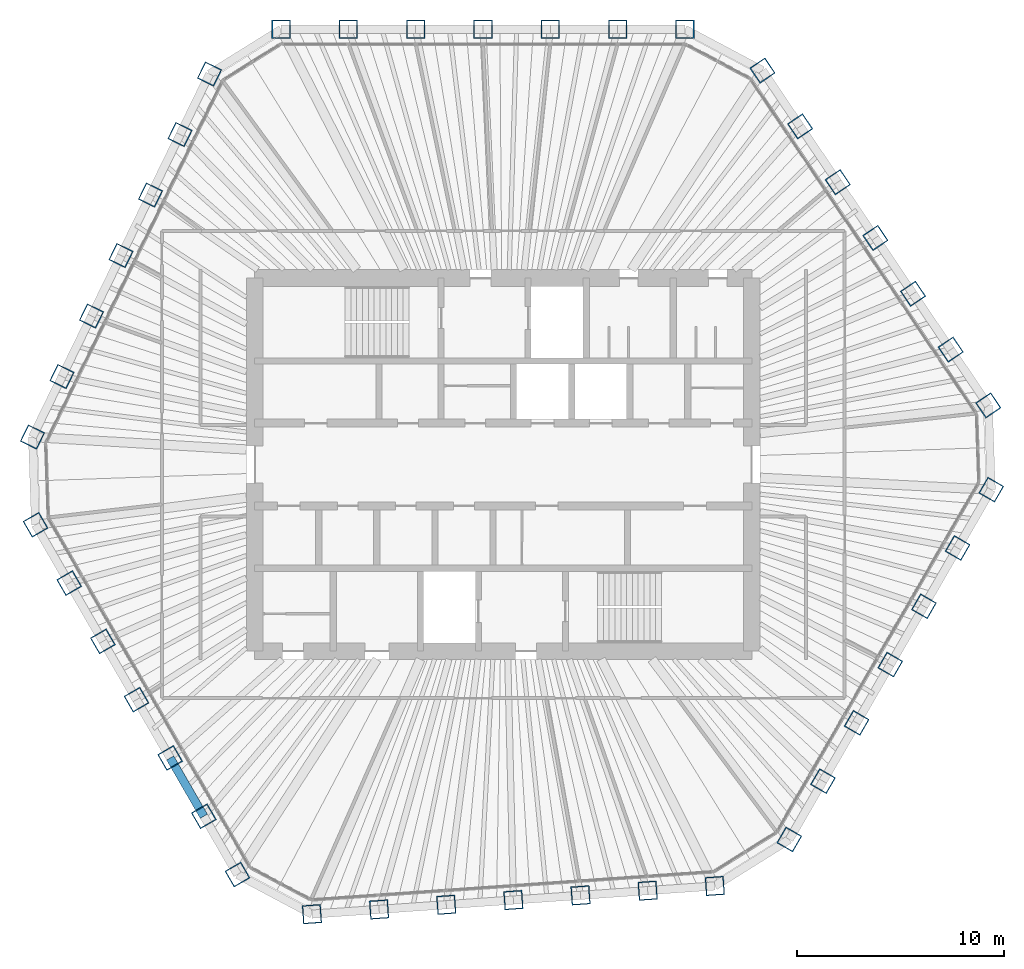
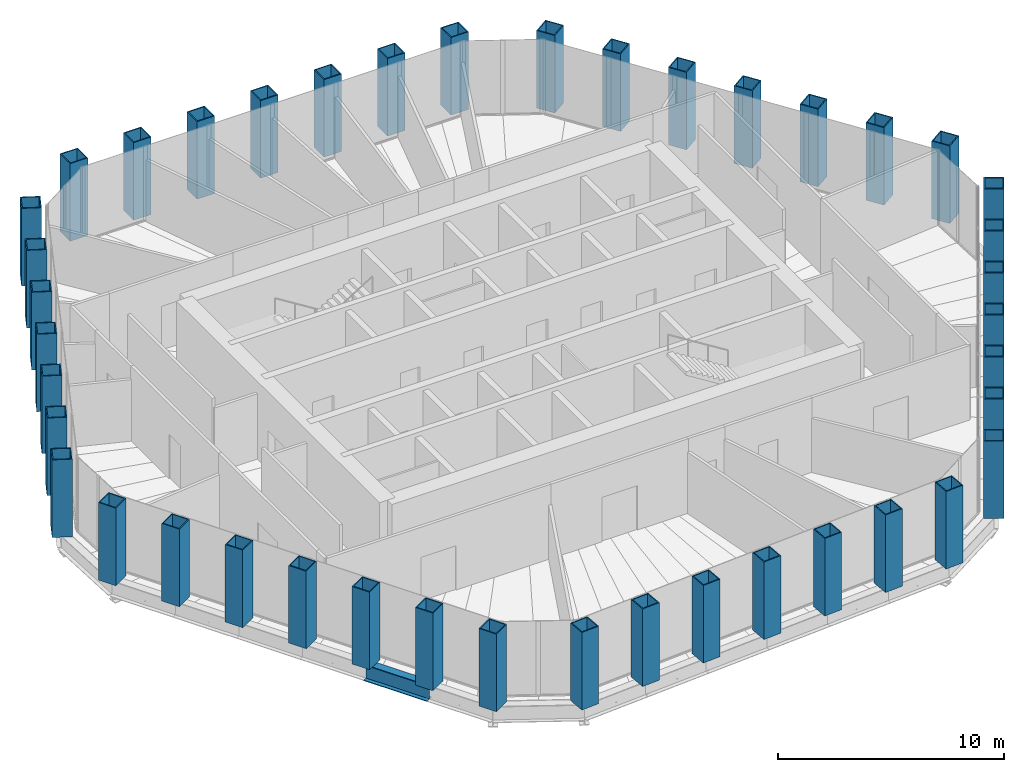
# One storey, part 1 of 15: 42 columns, 1 beam.
"""IFC4 building model written with IfcOpenShell, lengths in metres."""

from ifc_helpers import new_model, si_unit, direction, frame, origin, origin_2d, place, context, subcontext, project, spatial, hollow_rectangle, i_section, extrude, material, material_profile, profile_set, type_object, element, save


model = new_model("IFC4")

# Units and contexts
model_context = context("Model", 3, precision=1e-05, world=origin(), true_north=direction((0.0, 1.0)))
body_context = subcontext(model_context, "Body", "Model", "MODEL_VIEW")
ifc_project = project(units=[si_unit("LENGTHUNIT", "METRE"), si_unit("AREAUNIT", "SQUARE_METRE"), si_unit("VOLUMEUNIT", "CUBIC_METRE"), si_unit("PLANEANGLEUNIT", "RADIAN"), si_unit("MASSUNIT", "GRAM", prefix="KILO")], contexts=[model_context])

# Site, building, storey
site_placement = place(None, origin())
site = spatial("IfcSite", under=ifc_project, at=site_placement, CompositionType="ELEMENT")
building_placement = place(site_placement, origin())
building = spatial("IfcBuilding", under=site, at=building_placement, Name="Qingtian Harvest Tower", CompositionType="ELEMENT")
storey_placement = place(building_placement, frame((0.0, 0.0, 312.39990234375)))
storey = spatial("IfcBuildingStorey", under=building, at=storey_placement, Name="L69", CompositionType="ELEMENT", Elevation=312.39990234375)

# Columns
ifc_material_1 = material(Name="Steel SM570MC", Category="steel")
ifc_material_profile_1 = material_profile(ifc_material_1, hollow_rectangle(XDim=0.89990234375, YDim=0.89990234375, WallThickness=0.050048828125, at=origin_2d()), Name="BOX900x900x50")
ifc_profile_set_1 = profile_set([ifc_material_profile_1], Name="Steel SM570MC")
column_type = type_object("IfcColumnType", Name="Tube column TC8 BOX900x900x50", PredefinedType="COLUMN", material=ifc_profile_set_1)
for number, where, z_axis, x_axis, name in (
    (1, (-10.72216796875, 21.0, 0.0), (0.0, 0.0, 1.0), (-1.0, 0.0, 0.0), "Tube column TC8 N0"),
    (2, (-7.47412109375, 21.0, 0.0), (0.0, 0.0, 1.0), (-1.0, 0.0, 0.0), "Tube column TC8 N1"),
    (3, (-4.226318359375, 21.0, 0.0), (0.0, 0.0, 1.0), (-1.0, 0.0, 0.0), "Tube column TC8 N2"),
    (4, (-0.978271484375, 21.0, 0.0), (0.0, 0.0, 1.0), (-1.0, 0.0, 0.0), "Tube column TC8 N3"),
    (5, (2.269775390625, 21.0, 0.0), (0.0, 0.0, 1.0), (-1.0, 0.0, 0.0), "Tube column TC8 N4"),
    (6, (5.517822265625, 21.0, 0.0), (0.0, 0.0, 1.0), (-1.0, 0.0, 0.0), "Tube column TC8 N5"),
    (7, (8.765869140625, 21.0, 0.0), (0.0, 0.0, 1.0), (-1.0, 0.0, 0.0), "Tube column TC8 N6"),
    (8, (12.508056640625, 19.01025390625, 0.0), (0.0, 0.0, 1.0), (-0.559192903471, 0.829037572555, 0.0), "Tube column TC8 NE0"),
    (9, (14.32421875, 16.317626953125, 0.0), (0.0, 0.0, 1.0), (-0.559192903471, 0.829037572555, 0.0), "Tube column TC8 NE1"),
    (10, (16.140625, 13.624755859375, 0.0), (0.0, 0.0, 1.0), (-0.559192903471, 0.829037572555, 0.0), "Tube column TC8 NE2"),
    (11, (17.956787109375, 10.93212890625, 0.0), (0.0, 0.0, 1.0), (-0.559192903471, 0.829037572555, 0.0), "Tube column TC8 NE3"),
    (12, (19.77294921875, 8.2392578125, 0.0), (0.0, 0.0, 1.0), (-0.559192903471, 0.829037572555, 0.0), "Tube column TC8 NE4"),
    (13, (21.58935546875, 5.546630859375, 0.0), (0.0, 0.0, 1.0), (-0.559192903471, 0.829037572555, 0.0), "Tube column TC8 NE5"),
    (14, (23.405517578125, 2.85400390625, 0.0), (0.0, 0.0, 1.0), (-0.559192903471, 0.829037572555, 0.0), "Tube column TC8 NE6"),
    (15, (23.547607421875, -1.21435546875, 0.0), (0.0, 0.0, 1.0), (0.5, 0.866025403784, 0.0), "Tube column TC8 SE0"),
    (16, (21.923583984375, -4.027099609375, 0.0), (0.0, 0.0, 1.0), (0.5, 0.866025403784, 0.0), "Tube column TC8 SE1"),
    (17, (20.299560546875, -6.840087890625, 0.0), (0.0, 0.0, 1.0), (0.5, 0.866025403784, 0.0), "Tube column TC8 SE2"),
    (18, (18.675537109375, -9.65283203125, 0.0), (0.0, 0.0, 1.0), (0.5, 0.866025403784, 0.0), "Tube column TC8 SE3"),
    (19, (17.051513671875, -12.4658203125, 0.0), (0.0, 0.0, 1.0), (0.5, 0.866025403784, 0.0), "Tube column TC8 SE4"),
    (20, (15.427490234375, -15.278564453125, 0.0), (0.0, 0.0, 1.0), (0.5, 0.866025403784, 0.0), "Tube column TC8 SE5"),
    (21, (13.803466796875, -18.091552734375, 0.0), (0.0, 0.0, 1.0), (0.5, 0.866025403784, 0.0), "Tube column TC8 SE6"),
    (22, (10.20947265625, -20.33740234375, 0.0), (0.0, 0.0, 1.0), (0.99756405026, 0.069756473744, 0.0), "Tube column TC8 S0"),
    (23, (6.96923828125, -20.56396484375, 0.0), (0.0, 0.0, 1.0), (0.99756405026, 0.069756473744, 0.0), "Tube column TC8 S1"),
    (24, (3.729248046875, -20.79052734375, 0.0), (0.0, 0.0, 1.0), (0.99756405026, 0.069756473744, 0.0), "Tube column TC8 S2"),
    (25, (0.489013671875, -21.01708984375, 0.0), (0.0, 0.0, 1.0), (0.99756405026, 0.069756473744, 0.0), "Tube column TC8 S3"),
    (26, (-2.7509765625, -21.24365234375, 0.0), (0.0, 0.0, 1.0), (0.99756405026, 0.069756473744, 0.0), "Tube column TC8 S4"),
    (27, (-5.9912109375, -21.47021484375, 0.0), (0.0, 0.0, 1.0), (0.99756405026, 0.069756473744, 0.0), "Tube column TC8 S5"),
    (28, (-9.231201171875, -21.69677734375, 0.0), (0.0, 0.0, 1.0), (0.99756405026, 0.069756473744, 0.0), "Tube column TC8 S6"),
    (29, (-12.825439453125, -19.78564453125, 0.0), (0.0, 0.0, 1.0), (0.5, -0.866025403784, 0.0), "Tube column TC8 SW0"),
    (30, (-14.449462890625, -16.972900390625, 0.0), (0.0, 0.0, 1.0), (0.5, -0.866025403784, 0.0), "Tube column TC8 SW1"),
    (31, (-16.073486328125, -14.159912109375, 0.0), (0.0, 0.0, 1.0), (0.5, -0.866025403784, 0.0), "Tube column TC8 SW2"),
    (32, (-17.697509765625, -11.34716796875, 0.0), (0.0, 0.0, 1.0), (0.5, -0.866025403784, 0.0), "Tube column TC8 SW3"),
    (33, (-19.321533203125, -8.5341796875, 0.0), (0.0, 0.0, 1.0), (0.5, -0.866025403784, 0.0), "Tube column TC8 SW4"),
    (34, (-20.945556640625, -5.721435546875, 0.0), (0.0, 0.0, 1.0), (0.5, -0.866025403784, 0.0), "Tube column TC8 SW5"),
    (35, (-22.569580078125, -2.908447265625, 0.0), (0.0, 0.0, 1.0), (0.5, -0.866025403784, 0.0), "Tube column TC8 SW6"),
    (36, (-22.71728515625, 1.3271484375, 0.0), (0.0, 0.0, 1.0), (-0.438371146789, -0.898794046299, 0.0), "Tube column TC8 NW0"),
    (37, (-21.29345703125, 4.246337890625, 0.0), (0.0, 0.0, 1.0), (-0.438371146789, -0.898794046299, 0.0), "Tube column TC8 NW1"),
    (38, (-19.86962890625, 7.165771484375, 0.0), (0.0, 0.0, 1.0), (-0.438371146789, -0.898794046299, 0.0), "Tube column TC8 NW2"),
    (39, (-18.44580078125, 10.0849609375, 0.0), (0.0, 0.0, 1.0), (-0.438371146789, -0.898794046299, 0.0), "Tube column TC8 NW3"),
    (40, (-17.02197265625, 13.00439453125, 0.0), (0.0, 0.0, 1.0), (-0.438371146789, -0.898794046299, 0.0), "Tube column TC8 NW4"),
    (41, (-15.59814453125, 15.923583984375, 0.0), (0.0, 0.0, 1.0), (-0.438371146789, -0.898794046299, 0.0), "Tube column TC8 NW5"),
    (42, (-14.17431640625, 18.8427734375, 0.0), (0.0, 0.0, 1.0), (-0.438371146789, -0.898794046299, 0.0), "Tube column TC8 NW6"),
):
    element("IfcColumn", number, at=place(storey_placement, frame(where, z_axis=z_axis, x_axis=x_axis)), inside=storey, type_object=column_type, Name=name, PredefinedType="COLUMN", context=body_context, shape_type="SweptSolid", body=[
        extrude(hollow_rectangle(XDim=0.89990234375, YDim=0.89990234375, WallThickness=0.050048828125, at=origin_2d()), origin(), (0.0, 0.0, 1.0), 4.2001953125),
    ])

# Beam
ifc_material_2 = material(Name="Steel SN490B", Category="steel")
ifc_material_profile_2 = material_profile(ifc_material_2, i_section(OverallWidth=0.39990234375, OverallDepth=0.89990234375, WebThickness=0.01904296875, FlangeThickness=0.035888671875, at=origin_2d()), Name="H900x400x19x36")
ifc_profile_set_2 = profile_set([ifc_material_profile_2], Name="Steel SN490B")
beam_type = type_object("IfcBeamType", Name="Spandrel beam SB4 H900x400x19x36", PredefinedType="SPANDREL", material=ifc_profile_set_2)
beam_placement = place(storey_placement, frame((-14.449462890625, -16.972900390625, -0.449951171875), z_axis=(-0.499987045439, 0.866032882975, 0.0), x_axis=(-0.866032882975, -0.499987045439, 0.0)))
element("IfcBeam", 43, at=beam_placement, inside=storey, type_object=beam_type, Name="Spandrel SB4 SW1", PredefinedType="SPANDREL", context=body_context, shape_type="SweptSolid", body=[
    extrude(i_section(OverallWidth=0.39990234375, OverallDepth=0.89990234375, WebThickness=0.01904296875, FlangeThickness=0.035888671875, at=origin_2d()), origin(), (0.0, 0.0, 1.0), 3.248046875),
])

save(model, "model.ifc")
